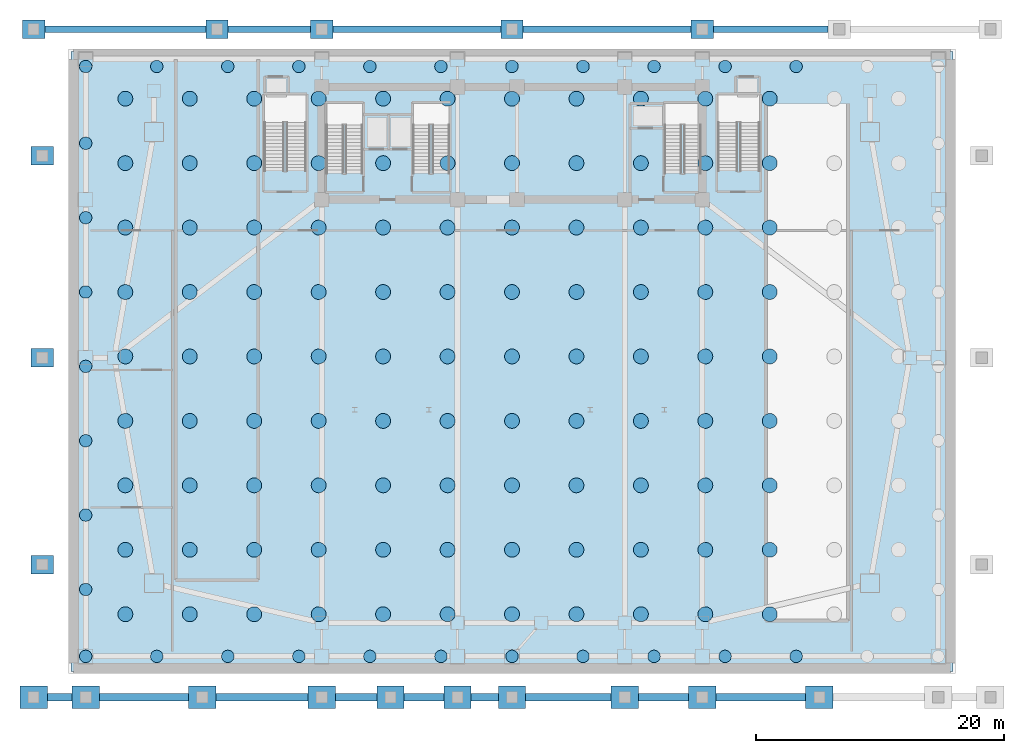
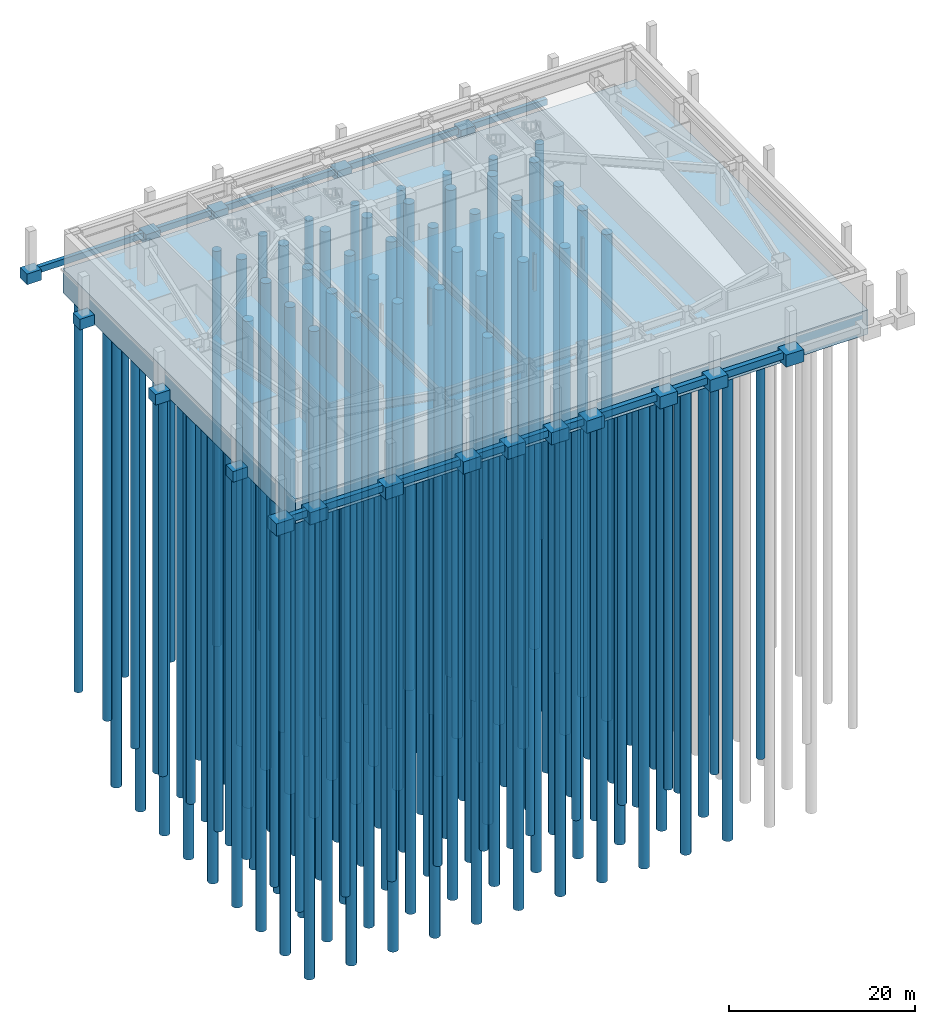
# One storey, part 1 of 10: 128 piles, 33 footings.
"""IFC4 building model written with IfcOpenShell, lengths in metres."""

from ifc_helpers import new_model, si_unit, direction, frame, origin, origin_2d, place, context, subcontext, project, spatial, rectangle, circle, extrude, source, transform, mapped, material, material_profile, profile_set, type_object, element, save


model = new_model("IFC4")

# Units and contexts
model_context = context("Model", 3, precision=1e-05, world=origin(), true_north=direction((0.0, 1.0)))
body_context = subcontext(model_context, "Body", "Model", "MODEL_VIEW")
ifc_project = project(units=[si_unit("LENGTHUNIT", "METRE"), si_unit("AREAUNIT", "SQUARE_METRE"), si_unit("VOLUMEUNIT", "CUBIC_METRE"), si_unit("PLANEANGLEUNIT", "RADIAN"), si_unit("MASSUNIT", "GRAM", prefix="KILO")], contexts=[model_context])

# Site, building, storey
site_placement = place(None, origin())
site = spatial("IfcSite", under=ifc_project, at=site_placement, CompositionType="ELEMENT")
building_placement = place(site_placement, origin())
building = spatial("IfcBuilding", under=site, at=building_placement, Name="Giltprow Tower", CompositionType="ELEMENT")
storey_placement = place(building_placement, frame((0.0, 0.0, -10.39990234375)))
storey = spatial("IfcBuildingStorey", under=building, at=storey_placement, Name="B02", CompositionType="ELEMENT", Elevation=-10.39990234375)

# Footing
ifc_material = material(Name="Concrete C45", Category="concrete")
footing_type_1 = type_object("IfcFootingType", Name="FND-RAFT-3200", PredefinedType="PAD_FOOTING", material=ifc_material)
shared_shape_1 = source(origin(), body_context, "Body", "SweptSolid", [
    extrude(rectangle(XDim=71.199951171875, YDim=50.0, at=origin_2d()), origin(), (0.0, 0.0, 1.0), 3.199951171875),
])
footing_1_placement = place(storey_placement, frame((35.199951171875, 24.39990234375, -3.2001953125), z_axis=(0.0, 0.0, 1.0), x_axis=(1.0, 0.0, 0.0)))
element("IfcFooting", 1, at=footing_1_placement, inside=storey, type_object=footing_type_1, Name="Tower and Podium Piled Raft 3200", PredefinedType="PAD_FOOTING", context=body_context, shape_type="MappedRepresentation", body=[
    mapped(shared_shape_1, transform((0.0, 0.0, 0.0), x_axis=(1.0, 0.0, 0.0), y_axis=(0.0, 1.0, 0.0), z_axis=(0.0, 0.0, 1.0), scale=1.0)),
])

# Piles
ifc_material_profile_1 = material_profile(ifc_material, circle(Radius=0.60009765625, at=origin_2d()), Name="PILE D1200")
ifc_profile_set_1 = profile_set([ifc_material_profile_1], Name="Concrete C45")
pile_type_1 = type_object("IfcPileType", Name="PILE-BORED-D1200", PredefinedType="BORED", material=ifc_profile_set_1)
shared_shape_2 = source(origin(), body_context, "Body", "SweptSolid", [
    extrude(circle(Radius=0.60009765625, at=origin_2d()), origin(), (0.0, 0.0, 1.0), 64.0),
])
for number, where, z_axis, x_axis, name in (
    (2, (4.0, 4.0, -3.10009765625), (0.0, 0.0, -1.0), (1.0, 0.0, 0.0), "Tower Bored Pile P12-001"),
    (3, (4.0, 9.199951171875, -3.10009765625), (0.0, 0.0, -1.0), (1.0, 0.0, 0.0), "Tower Bored Pile P12-002"),
    (4, (4.0, 14.39990234375, -3.10009765625), (0.0, 0.0, -1.0), (1.0, 0.0, 0.0), "Tower Bored Pile P12-003"),
    (5, (4.0, 19.60009765625, -3.10009765625), (0.0, 0.0, -1.0), (1.0, 0.0, 0.0), "Tower Bored Pile P12-004"),
    (6, (4.0, 24.800048828125, -3.10009765625), (0.0, 0.0, -1.0), (1.0, 0.0, 0.0), "Tower Bored Pile P12-005"),
    (7, (4.0, 30.0, -3.10009765625), (0.0, 0.0, -1.0), (1.0, 0.0, 0.0), "Tower Bored Pile P12-006"),
    (8, (4.0, 35.199951171875, -3.10009765625), (0.0, 0.0, -1.0), (1.0, 0.0, 0.0), "Tower Bored Pile P12-007"),
    (9, (4.0, 40.39990234375, -3.10009765625), (0.0, 0.0, -1.0), (1.0, 0.0, 0.0), "Tower Bored Pile P12-008"),
    (10, (4.0, 45.60009765625, -3.10009765625), (0.0, 0.0, -1.0), (1.0, 0.0, 0.0), "Tower Bored Pile P12-009"),
    (11, (9.199951171875, 4.0, -3.10009765625), (0.0, 0.0, -1.0), (1.0, 0.0, 0.0), "Tower Bored Pile P12-010"),
    (12, (9.199951171875, 9.199951171875, -3.10009765625), (0.0, 0.0, -1.0), (1.0, 0.0, 0.0), "Tower Bored Pile P12-011"),
    (13, (9.199951171875, 14.39990234375, -3.10009765625), (0.0, 0.0, -1.0), (1.0, 0.0, 0.0), "Tower Bored Pile P12-012"),
    (14, (9.199951171875, 19.60009765625, -3.10009765625), (0.0, 0.0, -1.0), (1.0, 0.0, 0.0), "Tower Bored Pile P12-013"),
    (15, (9.199951171875, 24.800048828125, -3.10009765625), (0.0, 0.0, -1.0), (1.0, 0.0, 0.0), "Tower Bored Pile P12-014"),
    (16, (9.199951171875, 30.0, -3.10009765625), (0.0, 0.0, -1.0), (1.0, 0.0, 0.0), "Tower Bored Pile P12-015"),
    (17, (9.199951171875, 35.199951171875, -3.10009765625), (0.0, 0.0, -1.0), (1.0, 0.0, 0.0), "Tower Bored Pile P12-016"),
    (18, (9.199951171875, 40.39990234375, -3.10009765625), (0.0, 0.0, -1.0), (1.0, 0.0, 0.0), "Tower Bored Pile P12-017"),
    (19, (9.199951171875, 45.60009765625, -3.10009765625), (0.0, 0.0, -1.0), (1.0, 0.0, 0.0), "Tower Bored Pile P12-018"),
    (20, (14.39990234375, 4.0, -3.10009765625), (0.0, 0.0, -1.0), (1.0, 0.0, 0.0), "Tower Bored Pile P12-019"),
    (21, (14.39990234375, 9.199951171875, -3.10009765625), (0.0, 0.0, -1.0), (1.0, 0.0, 0.0), "Tower Bored Pile P12-020"),
    (22, (14.39990234375, 14.39990234375, -3.10009765625), (0.0, 0.0, -1.0), (1.0, 0.0, 0.0), "Tower Bored Pile P12-021"),
    (23, (14.39990234375, 19.60009765625, -3.10009765625), (0.0, 0.0, -1.0), (1.0, 0.0, 0.0), "Tower Bored Pile P12-022"),
    (24, (14.39990234375, 24.800048828125, -3.10009765625), (0.0, 0.0, -1.0), (1.0, 0.0, 0.0), "Tower Bored Pile P12-023"),
    (25, (14.39990234375, 30.0, -3.10009765625), (0.0, 0.0, -1.0), (1.0, 0.0, 0.0), "Tower Bored Pile P12-024"),
    (26, (14.39990234375, 35.199951171875, -3.10009765625), (0.0, 0.0, -1.0), (1.0, 0.0, 0.0), "Tower Bored Pile P12-025"),
    (27, (14.39990234375, 40.39990234375, -3.10009765625), (0.0, 0.0, -1.0), (1.0, 0.0, 0.0), "Tower Bored Pile P12-026"),
    (28, (14.39990234375, 45.60009765625, -3.10009765625), (0.0, 0.0, -1.0), (1.0, 0.0, 0.0), "Tower Bored Pile P12-027"),
    (29, (19.60009765625, 4.0, -3.10009765625), (0.0, 0.0, -1.0), (1.0, 0.0, 0.0), "Tower Bored Pile P12-028"),
    (30, (19.60009765625, 9.199951171875, -3.10009765625), (0.0, 0.0, -1.0), (1.0, 0.0, 0.0), "Tower Bored Pile P12-029"),
    (31, (19.60009765625, 14.39990234375, -3.10009765625), (0.0, 0.0, -1.0), (1.0, 0.0, 0.0), "Tower Bored Pile P12-030"),
    (32, (19.60009765625, 19.60009765625, -3.10009765625), (0.0, 0.0, -1.0), (1.0, 0.0, 0.0), "Tower Bored Pile P12-031"),
    (33, (19.60009765625, 24.800048828125, -3.10009765625), (0.0, 0.0, -1.0), (1.0, 0.0, 0.0), "Tower Bored Pile P12-032"),
    (34, (19.60009765625, 30.0, -3.10009765625), (0.0, 0.0, -1.0), (1.0, 0.0, 0.0), "Tower Bored Pile P12-033"),
    (35, (19.60009765625, 35.199951171875, -3.10009765625), (0.0, 0.0, -1.0), (1.0, 0.0, 0.0), "Tower Bored Pile P12-034"),
    (36, (19.60009765625, 40.39990234375, -3.10009765625), (0.0, 0.0, -1.0), (1.0, 0.0, 0.0), "Tower Bored Pile P12-035"),
    (37, (19.60009765625, 45.60009765625, -3.10009765625), (0.0, 0.0, -1.0), (1.0, 0.0, 0.0), "Tower Bored Pile P12-036"),
    (38, (24.800048828125, 4.0, -3.10009765625), (0.0, 0.0, -1.0), (1.0, 0.0, 0.0), "Tower Bored Pile P12-037"),
    (39, (24.800048828125, 9.199951171875, -3.10009765625), (0.0, 0.0, -1.0), (1.0, 0.0, 0.0), "Tower Bored Pile P12-038"),
    (40, (24.800048828125, 14.39990234375, -3.10009765625), (0.0, 0.0, -1.0), (1.0, 0.0, 0.0), "Tower Bored Pile P12-039"),
    (41, (24.800048828125, 19.60009765625, -3.10009765625), (0.0, 0.0, -1.0), (1.0, 0.0, 0.0), "Tower Bored Pile P12-040"),
    (42, (24.800048828125, 24.800048828125, -3.10009765625), (0.0, 0.0, -1.0), (1.0, 0.0, 0.0), "Tower Bored Pile P12-041"),
    (43, (24.800048828125, 30.0, -3.10009765625), (0.0, 0.0, -1.0), (1.0, 0.0, 0.0), "Tower Bored Pile P12-042"),
    (44, (24.800048828125, 35.199951171875, -3.10009765625), (0.0, 0.0, -1.0), (1.0, 0.0, 0.0), "Tower Bored Pile P12-043"),
    (45, (24.800048828125, 40.39990234375, -3.10009765625), (0.0, 0.0, -1.0), (1.0, 0.0, 0.0), "Tower Bored Pile P12-044"),
    (46, (24.800048828125, 45.60009765625, -3.10009765625), (0.0, 0.0, -1.0), (1.0, 0.0, 0.0), "Tower Bored Pile P12-045"),
    (47, (30.0, 4.0, -3.10009765625), (0.0, 0.0, -1.0), (1.0, 0.0, 0.0), "Tower Bored Pile P12-046"),
    (48, (30.0, 9.199951171875, -3.10009765625), (0.0, 0.0, -1.0), (1.0, 0.0, 0.0), "Tower Bored Pile P12-047"),
    (49, (30.0, 14.39990234375, -3.10009765625), (0.0, 0.0, -1.0), (1.0, 0.0, 0.0), "Tower Bored Pile P12-048"),
    (50, (30.0, 19.60009765625, -3.10009765625), (0.0, 0.0, -1.0), (1.0, 0.0, 0.0), "Tower Bored Pile P12-049"),
    (51, (30.0, 24.800048828125, -3.10009765625), (0.0, 0.0, -1.0), (1.0, 0.0, 0.0), "Tower Bored Pile P12-050"),
    (52, (30.0, 30.0, -3.10009765625), (0.0, 0.0, -1.0), (1.0, 0.0, 0.0), "Tower Bored Pile P12-051"),
    (53, (30.0, 35.199951171875, -3.10009765625), (0.0, 0.0, -1.0), (1.0, 0.0, 0.0), "Tower Bored Pile P12-052"),
    (54, (30.0, 40.39990234375, -3.10009765625), (0.0, 0.0, -1.0), (1.0, 0.0, 0.0), "Tower Bored Pile P12-053"),
    (55, (30.0, 45.60009765625, -3.10009765625), (0.0, 0.0, -1.0), (1.0, 0.0, 0.0), "Tower Bored Pile P12-054"),
    (56, (35.199951171875, 4.0, -3.10009765625), (0.0, 0.0, -1.0), (1.0, 0.0, 0.0), "Tower Bored Pile P12-055"),
    (57, (35.199951171875, 9.199951171875, -3.10009765625), (0.0, 0.0, -1.0), (1.0, 0.0, 0.0), "Tower Bored Pile P12-056"),
    (58, (35.199951171875, 14.39990234375, -3.10009765625), (0.0, 0.0, -1.0), (1.0, 0.0, 0.0), "Tower Bored Pile P12-057"),
    (59, (35.199951171875, 19.60009765625, -3.10009765625), (0.0, 0.0, -1.0), (1.0, 0.0, 0.0), "Tower Bored Pile P12-058"),
    (60, (35.199951171875, 24.800048828125, -3.10009765625), (0.0, 0.0, -1.0), (1.0, 0.0, 0.0), "Tower Bored Pile P12-059"),
    (61, (35.199951171875, 30.0, -3.10009765625), (0.0, 0.0, -1.0), (1.0, 0.0, 0.0), "Tower Bored Pile P12-060"),
    (62, (35.199951171875, 35.199951171875, -3.10009765625), (0.0, 0.0, -1.0), (1.0, 0.0, 0.0), "Tower Bored Pile P12-061"),
    (63, (35.199951171875, 40.39990234375, -3.10009765625), (0.0, 0.0, -1.0), (1.0, 0.0, 0.0), "Tower Bored Pile P12-062"),
    (64, (35.199951171875, 45.60009765625, -3.10009765625), (0.0, 0.0, -1.0), (1.0, 0.0, 0.0), "Tower Bored Pile P12-063"),
    (65, (40.39990234375, 4.0, -3.10009765625), (0.0, 0.0, -1.0), (1.0, 0.0, 0.0), "Tower Bored Pile P12-064"),
    (66, (40.39990234375, 9.199951171875, -3.10009765625), (0.0, 0.0, -1.0), (1.0, 0.0, 0.0), "Tower Bored Pile P12-065"),
    (67, (40.39990234375, 14.39990234375, -3.10009765625), (0.0, 0.0, -1.0), (1.0, 0.0, 0.0), "Tower Bored Pile P12-066"),
    (68, (40.39990234375, 19.60009765625, -3.10009765625), (0.0, 0.0, -1.0), (1.0, 0.0, 0.0), "Tower Bored Pile P12-067"),
    (69, (40.39990234375, 24.800048828125, -3.10009765625), (0.0, 0.0, -1.0), (1.0, 0.0, 0.0), "Tower Bored Pile P12-068"),
    (70, (40.39990234375, 30.0, -3.10009765625), (0.0, 0.0, -1.0), (1.0, 0.0, 0.0), "Tower Bored Pile P12-069"),
    (71, (40.39990234375, 35.199951171875, -3.10009765625), (0.0, 0.0, -1.0), (1.0, 0.0, 0.0), "Tower Bored Pile P12-070"),
    (72, (40.39990234375, 40.39990234375, -3.10009765625), (0.0, 0.0, -1.0), (1.0, 0.0, 0.0), "Tower Bored Pile P12-071"),
    (73, (40.39990234375, 45.60009765625, -3.10009765625), (0.0, 0.0, -1.0), (1.0, 0.0, 0.0), "Tower Bored Pile P12-072"),
    (74, (45.60009765625, 4.0, -3.10009765625), (0.0, 0.0, -1.0), (1.0, 0.0, 0.0), "Tower Bored Pile P12-073"),
    (75, (45.60009765625, 9.199951171875, -3.10009765625), (0.0, 0.0, -1.0), (1.0, 0.0, 0.0), "Tower Bored Pile P12-074"),
    (76, (45.60009765625, 14.39990234375, -3.10009765625), (0.0, 0.0, -1.0), (1.0, 0.0, 0.0), "Tower Bored Pile P12-075"),
    (77, (45.60009765625, 19.60009765625, -3.10009765625), (0.0, 0.0, -1.0), (1.0, 0.0, 0.0), "Tower Bored Pile P12-076"),
    (78, (45.60009765625, 24.800048828125, -3.10009765625), (0.0, 0.0, -1.0), (1.0, 0.0, 0.0), "Tower Bored Pile P12-077"),
    (79, (45.60009765625, 30.0, -3.10009765625), (0.0, 0.0, -1.0), (1.0, 0.0, 0.0), "Tower Bored Pile P12-078"),
    (80, (45.60009765625, 35.199951171875, -3.10009765625), (0.0, 0.0, -1.0), (1.0, 0.0, 0.0), "Tower Bored Pile P12-079"),
    (81, (45.60009765625, 40.39990234375, -3.10009765625), (0.0, 0.0, -1.0), (1.0, 0.0, 0.0), "Tower Bored Pile P12-080"),
    (82, (45.60009765625, 45.60009765625, -3.10009765625), (0.0, 0.0, -1.0), (1.0, 0.0, 0.0), "Tower Bored Pile P12-081"),
    (83, (50.800048828125, 4.0, -3.10009765625), (0.0, 0.0, -1.0), (1.0, 0.0, 0.0), "Tower Bored Pile P12-082"),
    (84, (50.800048828125, 9.199951171875, -3.10009765625), (0.0, 0.0, -1.0), (1.0, 0.0, 0.0), "Tower Bored Pile P12-083"),
    (85, (50.800048828125, 14.39990234375, -3.10009765625), (0.0, 0.0, -1.0), (1.0, 0.0, 0.0), "Tower Bored Pile P12-084"),
    (86, (50.800048828125, 19.60009765625, -3.10009765625), (0.0, 0.0, -1.0), (1.0, 0.0, 0.0), "Tower Bored Pile P12-085"),
    (87, (50.800048828125, 24.800048828125, -3.10009765625), (0.0, 0.0, -1.0), (1.0, 0.0, 0.0), "Tower Bored Pile P12-086"),
    (88, (50.800048828125, 30.0, -3.10009765625), (0.0, 0.0, -1.0), (1.0, 0.0, 0.0), "Tower Bored Pile P12-087"),
    (89, (50.800048828125, 35.199951171875, -3.10009765625), (0.0, 0.0, -1.0), (1.0, 0.0, 0.0), "Tower Bored Pile P12-088"),
    (90, (50.800048828125, 40.39990234375, -3.10009765625), (0.0, 0.0, -1.0), (1.0, 0.0, 0.0), "Tower Bored Pile P12-089"),
    (91, (50.800048828125, 45.60009765625, -3.10009765625), (0.0, 0.0, -1.0), (1.0, 0.0, 0.0), "Tower Bored Pile P12-090"),
    (92, (56.0, 4.0, -3.10009765625), (0.0, 0.0, -1.0), (1.0, 0.0, 0.0), "Tower Bored Pile P12-091"),
    (93, (56.0, 9.199951171875, -3.10009765625), (0.0, 0.0, -1.0), (1.0, 0.0, 0.0), "Tower Bored Pile P12-092"),
    (94, (56.0, 14.39990234375, -3.10009765625), (0.0, 0.0, -1.0), (1.0, 0.0, 0.0), "Tower Bored Pile P12-093"),
    (95, (56.0, 19.60009765625, -3.10009765625), (0.0, 0.0, -1.0), (1.0, 0.0, 0.0), "Tower Bored Pile P12-094"),
    (96, (56.0, 24.800048828125, -3.10009765625), (0.0, 0.0, -1.0), (1.0, 0.0, 0.0), "Tower Bored Pile P12-095"),
    (97, (56.0, 30.0, -3.10009765625), (0.0, 0.0, -1.0), (1.0, 0.0, 0.0), "Tower Bored Pile P12-096"),
    (98, (56.0, 35.199951171875, -3.10009765625), (0.0, 0.0, -1.0), (1.0, 0.0, 0.0), "Tower Bored Pile P12-097"),
    (99, (56.0, 40.39990234375, -3.10009765625), (0.0, 0.0, -1.0), (1.0, 0.0, 0.0), "Tower Bored Pile P12-098"),
    (100, (56.0, 45.60009765625, -3.10009765625), (0.0, 0.0, -1.0), (1.0, 0.0, 0.0), "Tower Bored Pile P12-099"),
):
    element("IfcPile", number, at=place(storey_placement, frame(where, z_axis=z_axis, x_axis=x_axis)), inside=storey, type_object=pile_type_1, Name=name, PredefinedType="BORED", context=body_context, shape_type="MappedRepresentation", body=[
        mapped(shared_shape_2, transform((0.0, 0.0, 0.0), x_axis=(1.0, 0.0, 0.0), y_axis=(0.0, 1.0, 0.0), z_axis=(0.0, 0.0, 1.0), scale=1.0)),
    ])
ifc_material_profile_2 = material_profile(ifc_material, circle(Radius=0.5, at=origin_2d()), Name="PILE D1000")
ifc_profile_set_2 = profile_set([ifc_material_profile_2], Name="Concrete C45")
pile_type_2 = type_object("IfcPileType", Name="PILE-BORED-D1000", PredefinedType="BORED", material=ifc_profile_set_2)
shared_shape_3 = source(origin(), body_context, "Body", "SweptSolid", [
    extrude(circle(Radius=0.5, at=origin_2d()), origin(), (0.0, 0.0, 1.0), 52.0),
])
for number, where, z_axis, x_axis, name in (
    (101, (0.800048828125, 0.60009765625, -3.10009765625), (0.0, 0.0, -1.0), (1.0, 0.0, 0.0), "Podium Bored Pile P10-001"),
    (102, (0.800048828125, 48.199951171875, -3.10009765625), (0.0, 0.0, -1.0), (1.0, 0.0, 0.0), "Podium Bored Pile P10-002"),
    (103, (6.532958984375, 0.60009765625, -3.10009765625), (0.0, 0.0, -1.0), (1.0, 0.0, 0.0), "Podium Bored Pile P10-003"),
    (104, (6.532958984375, 48.199951171875, -3.10009765625), (0.0, 0.0, -1.0), (1.0, 0.0, 0.0), "Podium Bored Pile P10-004"),
    (105, (12.26611328125, 0.60009765625, -3.10009765625), (0.0, 0.0, -1.0), (1.0, 0.0, 0.0), "Podium Bored Pile P10-005"),
    (106, (12.26611328125, 48.199951171875, -3.10009765625), (0.0, 0.0, -1.0), (1.0, 0.0, 0.0), "Podium Bored Pile P10-006"),
    (107, (17.9990234375, 0.60009765625, -3.10009765625), (0.0, 0.0, -1.0), (1.0, 0.0, 0.0), "Podium Bored Pile P10-007"),
    (108, (17.9990234375, 48.199951171875, -3.10009765625), (0.0, 0.0, -1.0), (1.0, 0.0, 0.0), "Podium Bored Pile P10-008"),
    (109, (23.73193359375, 0.60009765625, -3.10009765625), (0.0, 0.0, -1.0), (1.0, 0.0, 0.0), "Podium Bored Pile P10-009"),
    (110, (23.73193359375, 48.199951171875, -3.10009765625), (0.0, 0.0, -1.0), (1.0, 0.0, 0.0), "Podium Bored Pile P10-010"),
    (111, (29.465087890625, 0.60009765625, -3.10009765625), (0.0, 0.0, -1.0), (1.0, 0.0, 0.0), "Podium Bored Pile P10-011"),
    (112, (29.465087890625, 48.199951171875, -3.10009765625), (0.0, 0.0, -1.0), (1.0, 0.0, 0.0), "Podium Bored Pile P10-012"),
    (113, (35.197998046875, 0.60009765625, -3.10009765625), (0.0, 0.0, -1.0), (1.0, 0.0, 0.0), "Podium Bored Pile P10-013"),
    (114, (35.197998046875, 48.199951171875, -3.10009765625), (0.0, 0.0, -1.0), (1.0, 0.0, 0.0), "Podium Bored Pile P10-014"),
    (115, (40.930908203125, 0.60009765625, -3.10009765625), (0.0, 0.0, -1.0), (1.0, 0.0, 0.0), "Podium Bored Pile P10-015"),
    (116, (40.930908203125, 48.199951171875, -3.10009765625), (0.0, 0.0, -1.0), (1.0, 0.0, 0.0), "Podium Bored Pile P10-016"),
    (117, (46.6640625, 0.60009765625, -3.10009765625), (0.0, 0.0, -1.0), (1.0, 0.0, 0.0), "Podium Bored Pile P10-017"),
    (118, (46.6640625, 48.199951171875, -3.10009765625), (0.0, 0.0, -1.0), (1.0, 0.0, 0.0), "Podium Bored Pile P10-018"),
    (119, (52.39697265625, 0.60009765625, -3.10009765625), (0.0, 0.0, -1.0), (1.0, 0.0, 0.0), "Podium Bored Pile P10-019"),
    (120, (52.39697265625, 48.199951171875, -3.10009765625), (0.0, 0.0, -1.0), (1.0, 0.0, 0.0), "Podium Bored Pile P10-020"),
    (121, (58.1298828125, 0.60009765625, -3.10009765625), (0.0, 0.0, -1.0), (1.0, 0.0, 0.0), "Podium Bored Pile P10-021"),
    (122, (58.1298828125, 48.199951171875, -3.10009765625), (0.0, 0.0, -1.0), (1.0, 0.0, 0.0), "Podium Bored Pile P10-022"),
    (123, (0.800048828125, 6.0, -3.10009765625), (0.0, 0.0, -1.0), (1.0, 0.0, 0.0), "Podium Bored Pile P10-027"),
    (124, (0.800048828125, 12.0, -3.10009765625), (0.0, 0.0, -1.0), (1.0, 0.0, 0.0), "Podium Bored Pile P10-029"),
    (125, (0.800048828125, 18.0, -3.10009765625), (0.0, 0.0, -1.0), (1.0, 0.0, 0.0), "Podium Bored Pile P10-031"),
    (126, (0.800048828125, 24.0, -3.10009765625), (0.0, 0.0, -1.0), (1.0, 0.0, 0.0), "Podium Bored Pile P10-033"),
    (127, (0.800048828125, 30.0, -3.10009765625), (0.0, 0.0, -1.0), (1.0, 0.0, 0.0), "Podium Bored Pile P10-035"),
    (128, (0.800048828125, 36.0, -3.10009765625), (0.0, 0.0, -1.0), (1.0, 0.0, 0.0), "Podium Bored Pile P10-037"),
    (129, (0.800048828125, 42.0, -3.10009765625), (0.0, 0.0, -1.0), (1.0, 0.0, 0.0), "Podium Bored Pile P10-039"),
):
    element("IfcPile", number, at=place(storey_placement, frame(where, z_axis=z_axis, x_axis=x_axis)), inside=storey, type_object=pile_type_2, Name=name, PredefinedType="BORED", context=body_context, shape_type="MappedRepresentation", body=[
        mapped(shared_shape_3, transform((0.0, 0.0, 0.0), x_axis=(1.0, 0.0, 0.0), y_axis=(0.0, 1.0, 0.0), z_axis=(0.0, 0.0, 1.0), scale=1.0)),
    ])

# Footings
footing_type_2 = type_object("IfcFootingType", Name="FND-PAD-2200", PredefinedType="PAD_FOOTING", material=ifc_material)
shared_shape_4 = source(origin(), body_context, "Body", "SweptSolid", [
    extrude(rectangle(XDim=2.199951171875, YDim=1.800048828125, at=origin_2d()), origin(), (0.0, 0.0, 1.0), 1.60009765625),
])
for number, where, z_axis, x_axis, name in (
    (130, (-3.39990234375, -2.699951171875, -1.60009765625), (0.0, 0.0, 1.0), (1.0, 0.0, 0.0), "Promenade Pad Footing PF-01"),
    (131, (0.800048828125, -2.699951171875, -1.60009765625), (0.0, 0.0, 1.0), (1.0, 0.0, 0.0), "Promenade Pad Footing PF-02"),
    (132, (10.199951171875, -2.699951171875, -1.60009765625), (0.0, 0.0, 1.0), (1.0, 0.0, 0.0), "Promenade Pad Footing PF-03"),
    (133, (19.85009765625, -2.699951171875, -1.60009765625), (0.0, 0.0, 1.0), (1.0, 0.0, 0.0), "Promenade Pad Footing PF-04"),
    (134, (25.39990234375, -2.699951171875, -1.60009765625), (0.0, 0.0, 1.0), (1.0, 0.0, 0.0), "Promenade Pad Footing PF-05"),
    (135, (30.800048828125, -2.699951171875, -1.60009765625), (0.0, 0.0, 1.0), (1.0, 0.0, 0.0), "Promenade Pad Footing PF-06"),
    (136, (35.199951171875, -2.699951171875, -1.60009765625), (0.0, 0.0, 1.0), (1.0, 0.0, 0.0), "Promenade Pad Footing PF-07"),
    (137, (44.300048828125, -2.699951171875, -1.60009765625), (0.0, 0.0, 1.0), (1.0, 0.0, 0.0), "Promenade Pad Footing PF-08"),
    (138, (50.550048828125, -2.699951171875, -1.60009765625), (0.0, 0.0, 1.0), (1.0, 0.0, 0.0), "Promenade Pad Footing PF-09"),
    (139, (60.0, -2.699951171875, -1.60009765625), (0.0, 0.0, 1.0), (1.0, 0.0, 0.0), "Promenade Pad Footing PF-10"),
):
    element("IfcFooting", number, at=place(storey_placement, frame(where, z_axis=z_axis, x_axis=x_axis)), inside=storey, type_object=footing_type_2, Name=name, PredefinedType="PAD_FOOTING", context=body_context, shape_type="MappedRepresentation", body=[
        mapped(shared_shape_4, transform((0.0, 0.0, 0.0), x_axis=(1.0, 0.0, 0.0), y_axis=(0.0, 1.0, 0.0), z_axis=(0.0, 0.0, 1.0), scale=1.0)),
    ])
ifc_material_profile_3 = material_profile(ifc_material, rectangle(XDim=0.60009765625, YDim=0.89990234375, at=origin_2d()), Name="RC 900x600")
ifc_profile_set_3 = profile_set([ifc_material_profile_3], Name="Concrete C45")
footing_type_3 = type_object("IfcFootingType", Name="FND-TIE-900x600", PredefinedType="FOOTING_BEAM", material=ifc_profile_set_3)
shared_shape_5 = source(origin(), body_context, "Body", "SweptSolid", [
    extrude(rectangle(XDim=0.60009765625, YDim=0.89990234375, at=origin_2d()), origin(), (0.0, 0.0, 1.0), 2.0),
])
footing_2_placement = place(storey_placement, frame((-2.300048828125, -2.699951171875, -0.4501953125), z_axis=(1.0, 0.0, 0.0), x_axis=(0.0, 1.0, 0.0)))
element("IfcFooting", 140, at=footing_2_placement, inside=storey, type_object=footing_type_3, Name="Promenade Ground Tie Beam GB-01", PredefinedType="FOOTING_BEAM", context=body_context, shape_type="MappedRepresentation", body=[
    mapped(shared_shape_5, transform((0.0, 0.0, 0.0), x_axis=(1.0, 0.0, 0.0), y_axis=(0.0, 1.0, 0.0), z_axis=(0.0, 0.0, 1.0), scale=1.0)),
])
shared_shape_6 = source(origin(), body_context, "Body", "SweptSolid", [
    extrude(rectangle(XDim=0.60009765625, YDim=0.89990234375, at=origin_2d()), origin(), (0.0, 0.0, 1.0), 7.2001953125),
])
footing_3_placement = place(storey_placement, frame((1.89990234375, -2.699951171875, -0.4501953125), z_axis=(1.0, 0.0, 0.0), x_axis=(0.0, 1.0, 0.0)))
element("IfcFooting", 141, at=footing_3_placement, inside=storey, type_object=footing_type_3, Name="Promenade Ground Tie Beam GB-02", PredefinedType="FOOTING_BEAM", context=body_context, shape_type="MappedRepresentation", body=[
    mapped(shared_shape_6, transform((0.0, 0.0, 0.0), x_axis=(1.0, 0.0, 0.0), y_axis=(0.0, 1.0, 0.0), z_axis=(0.0, 0.0, 1.0), scale=1.0)),
])
shared_shape_7 = source(origin(), body_context, "Body", "SweptSolid", [
    extrude(rectangle(XDim=0.60009765625, YDim=0.89990234375, at=origin_2d()), origin(), (0.0, 0.0, 1.0), 7.449951171875),
])
footing_4_placement = place(storey_placement, frame((11.300048828125, -2.699951171875, -0.4501953125), z_axis=(1.0, 0.0, 0.0), x_axis=(0.0, 1.0, 0.0)))
element("IfcFooting", 142, at=footing_4_placement, inside=storey, type_object=footing_type_3, Name="Promenade Ground Tie Beam GB-03", PredefinedType="FOOTING_BEAM", context=body_context, shape_type="MappedRepresentation", body=[
    mapped(shared_shape_7, transform((0.0, 0.0, 0.0), x_axis=(1.0, 0.0, 0.0), y_axis=(0.0, 1.0, 0.0), z_axis=(0.0, 0.0, 1.0), scale=1.0)),
])
shared_shape_8 = source(origin(), body_context, "Body", "SweptSolid", [
    extrude(rectangle(XDim=0.60009765625, YDim=0.89990234375, at=origin_2d()), origin(), (0.0, 0.0, 1.0), 3.35009765625),
])
footing_5_placement = place(storey_placement, frame((20.949951171875, -2.699951171875, -0.4501953125), z_axis=(1.0, 0.0, 0.0), x_axis=(0.0, 1.0, 0.0)))
element("IfcFooting", 143, at=footing_5_placement, inside=storey, type_object=footing_type_3, Name="Promenade Ground Tie Beam GB-04", PredefinedType="FOOTING_BEAM", context=body_context, shape_type="MappedRepresentation", body=[
    mapped(shared_shape_8, transform((0.0, 0.0, 0.0), x_axis=(1.0, 0.0, 0.0), y_axis=(0.0, 1.0, 0.0), z_axis=(0.0, 0.0, 1.0), scale=1.0)),
])
shared_shape_9 = source(origin(), body_context, "Body", "SweptSolid", [
    extrude(rectangle(XDim=0.60009765625, YDim=0.89990234375, at=origin_2d()), origin(), (0.0, 0.0, 1.0), 3.199951171875),
])
footing_6_placement = place(storey_placement, frame((26.5, -2.699951171875, -0.4501953125), z_axis=(1.0, 0.0, 0.0), x_axis=(0.0, 1.0, 0.0)))
element("IfcFooting", 144, at=footing_6_placement, inside=storey, type_object=footing_type_3, Name="Promenade Ground Tie Beam GB-05", PredefinedType="FOOTING_BEAM", context=body_context, shape_type="MappedRepresentation", body=[
    mapped(shared_shape_9, transform((0.0, 0.0, 0.0), x_axis=(1.0, 0.0, 0.0), y_axis=(0.0, 1.0, 0.0), z_axis=(0.0, 0.0, 1.0), scale=1.0)),
])
shared_shape_10 = source(origin(), body_context, "Body", "SweptSolid", [
    extrude(rectangle(XDim=0.60009765625, YDim=0.89990234375, at=origin_2d()), origin(), (0.0, 0.0, 1.0), 2.2001953125),
])
footing_7_placement = place(storey_placement, frame((31.89990234375, -2.699951171875, -0.4501953125), z_axis=(1.0, 0.0, 0.0), x_axis=(0.0, 1.0, 0.0)))
element("IfcFooting", 145, at=footing_7_placement, inside=storey, type_object=footing_type_3, Name="Promenade Ground Tie Beam GB-06", PredefinedType="FOOTING_BEAM", context=body_context, shape_type="MappedRepresentation", body=[
    mapped(shared_shape_10, transform((0.0, 0.0, 0.0), x_axis=(1.0, 0.0, 0.0), y_axis=(0.0, 1.0, 0.0), z_axis=(0.0, 0.0, 1.0), scale=1.0)),
])
shared_shape_11 = source(origin(), body_context, "Body", "SweptSolid", [
    extrude(rectangle(XDim=0.60009765625, YDim=0.89990234375, at=origin_2d()), origin(), (0.0, 0.0, 1.0), 6.89990234375),
])
footing_8_placement = place(storey_placement, frame((36.300048828125, -2.699951171875, -0.4501953125), z_axis=(1.0, 0.0, 0.0), x_axis=(0.0, 1.0, 0.0)))
element("IfcFooting", 146, at=footing_8_placement, inside=storey, type_object=footing_type_3, Name="Promenade Ground Tie Beam GB-07", PredefinedType="FOOTING_BEAM", context=body_context, shape_type="MappedRepresentation", body=[
    mapped(shared_shape_11, transform((0.0, 0.0, 0.0), x_axis=(1.0, 0.0, 0.0), y_axis=(0.0, 1.0, 0.0), z_axis=(0.0, 0.0, 1.0), scale=1.0)),
])
shared_shape_12 = source(origin(), body_context, "Body", "SweptSolid", [
    extrude(rectangle(XDim=0.60009765625, YDim=0.89990234375, at=origin_2d()), origin(), (0.0, 0.0, 1.0), 4.050048828125),
])
footing_9_placement = place(storey_placement, frame((45.39990234375, -2.699951171875, -0.4501953125), z_axis=(1.0, 0.0, 0.0), x_axis=(0.0, 1.0, 0.0)))
element("IfcFooting", 147, at=footing_9_placement, inside=storey, type_object=footing_type_3, Name="Promenade Ground Tie Beam GB-08", PredefinedType="FOOTING_BEAM", context=body_context, shape_type="MappedRepresentation", body=[
    mapped(shared_shape_12, transform((0.0, 0.0, 0.0), x_axis=(1.0, 0.0, 0.0), y_axis=(0.0, 1.0, 0.0), z_axis=(0.0, 0.0, 1.0), scale=1.0)),
])
shared_shape_13 = source(origin(), body_context, "Body", "SweptSolid", [
    extrude(rectangle(XDim=0.60009765625, YDim=0.89990234375, at=origin_2d()), origin(), (0.0, 0.0, 1.0), 7.25),
])
footing_10_placement = place(storey_placement, frame((51.64990234375, -2.699951171875, -0.4501953125), z_axis=(1.0, 0.0, 0.0), x_axis=(0.0, 1.0, 0.0)))
element("IfcFooting", 148, at=footing_10_placement, inside=storey, type_object=footing_type_3, Name="Promenade Ground Tie Beam GB-09", PredefinedType="FOOTING_BEAM", context=body_context, shape_type="MappedRepresentation", body=[
    mapped(shared_shape_13, transform((0.0, 0.0, 0.0), x_axis=(1.0, 0.0, 0.0), y_axis=(0.0, 1.0, 0.0), z_axis=(0.0, 0.0, 1.0), scale=1.0)),
])
footing_type_4 = type_object("IfcFootingType", Name="FND-PAD-1800", PredefinedType="PAD_FOOTING", material=ifc_material)
shared_shape_14 = source(origin(), body_context, "Body", "SweptSolid", [
    extrude(rectangle(XDim=1.800048828125, YDim=1.5, at=origin_2d()), origin(), (0.0, 0.0, 1.0), 1.39990234375),
])
for number, where, z_axis, x_axis, name in (
    (149, (-2.699951171875, 8.0, -1.400146484375), (0.0, 0.0, 1.0), (1.0, 0.0, 0.0), "W Sidewalk Pad Footing PF-W1"),
    (150, (-2.699951171875, 24.699951171875, -1.400146484375), (0.0, 0.0, 1.0), (1.0, 0.0, 0.0), "W Sidewalk Pad Footing PF-W2"),
    (151, (-2.699951171875, 41.0, -1.400146484375), (0.0, 0.0, 1.0), (1.0, 0.0, 0.0), "W Sidewalk Pad Footing PF-W3"),
    (152, (-3.39990234375, 51.199951171875, -1.400146484375), (0.0, 0.0, 1.0), (1.0, 0.0, 0.0), "North Apron Pad Footing PF-N01"),
    (153, (11.39990234375, 51.199951171875, -1.400146484375), (0.0, 0.0, 1.0), (1.0, 0.0, 0.0), "North Apron Pad Footing PF-N02"),
    (154, (19.85009765625, 51.199951171875, -1.400146484375), (0.0, 0.0, 1.0), (1.0, 0.0, 0.0), "North Apron Pad Footing PF-N03"),
    (155, (35.199951171875, 51.199951171875, -1.400146484375), (0.0, 0.0, 1.0), (1.0, 0.0, 0.0), "North Apron Pad Footing PF-N04"),
    (156, (50.550048828125, 51.199951171875, -1.400146484375), (0.0, 0.0, 1.0), (1.0, 0.0, 0.0), "North Apron Pad Footing PF-N05"),
):
    element("IfcFooting", number, at=place(storey_placement, frame(where, z_axis=z_axis, x_axis=x_axis)), inside=storey, type_object=footing_type_4, Name=name, PredefinedType="PAD_FOOTING", context=body_context, shape_type="MappedRepresentation", body=[
        mapped(shared_shape_14, transform((0.0, 0.0, 0.0), x_axis=(1.0, 0.0, 0.0), y_axis=(0.0, 1.0, 0.0), z_axis=(0.0, 0.0, 1.0), scale=1.0)),
    ])
ifc_material_profile_4 = material_profile(ifc_material, rectangle(XDim=0.5, YDim=0.800048828125, at=origin_2d()), Name="RC 800x500")
ifc_profile_set_4 = profile_set([ifc_material_profile_4], Name="Concrete C45")
footing_type_5 = type_object("IfcFootingType", Name="FND-STRIP-800x500", PredefinedType="STRIP_FOOTING", material=ifc_profile_set_4)
shared_shape_15 = source(origin(), body_context, "Body", "SweptSolid", [
    extrude(rectangle(XDim=0.5, YDim=0.800048828125, at=origin_2d()), origin(), (0.0, 0.0, 1.0), 13.0),
])
footing_11_placement = place(storey_placement, frame((-2.5, 51.199951171875, -0.400146484375), z_axis=(1.0, 0.0, 0.0), x_axis=(0.0, 1.0, 0.0)))
element("IfcFooting", 157, at=footing_11_placement, inside=storey, type_object=footing_type_5, Name="North Apron Strip Footing SF-01", PredefinedType="STRIP_FOOTING", context=body_context, shape_type="MappedRepresentation", body=[
    mapped(shared_shape_15, transform((0.0, 0.0, 0.0), x_axis=(1.0, 0.0, 0.0), y_axis=(0.0, 1.0, 0.0), z_axis=(0.0, 0.0, 1.0), scale=1.0)),
])
shared_shape_16 = source(origin(), body_context, "Body", "SweptSolid", [
    extrude(rectangle(XDim=0.5, YDim=0.800048828125, at=origin_2d()), origin(), (0.0, 0.0, 1.0), 6.64990234375),
])
footing_12_placement = place(storey_placement, frame((12.300048828125, 51.199951171875, -0.400146484375), z_axis=(1.0, 0.0, 0.0), x_axis=(0.0, 1.0, 0.0)))
element("IfcFooting", 158, at=footing_12_placement, inside=storey, type_object=footing_type_5, Name="North Apron Strip Footing SF-02", PredefinedType="STRIP_FOOTING", context=body_context, shape_type="MappedRepresentation", body=[
    mapped(shared_shape_16, transform((0.0, 0.0, 0.0), x_axis=(1.0, 0.0, 0.0), y_axis=(0.0, 1.0, 0.0), z_axis=(0.0, 0.0, 1.0), scale=1.0)),
])
shared_shape_17 = source(origin(), body_context, "Body", "SweptSolid", [
    extrude(rectangle(XDim=0.5, YDim=0.800048828125, at=origin_2d()), origin(), (0.0, 0.0, 1.0), 13.550048828125),
])
footing_13_placement = place(storey_placement, frame((20.75, 51.199951171875, -0.400146484375), z_axis=(1.0, 0.0, 0.0), x_axis=(0.0, 1.0, 0.0)))
element("IfcFooting", 159, at=footing_13_placement, inside=storey, type_object=footing_type_5, Name="North Apron Strip Footing SF-03", PredefinedType="STRIP_FOOTING", context=body_context, shape_type="MappedRepresentation", body=[
    mapped(shared_shape_17, transform((0.0, 0.0, 0.0), x_axis=(1.0, 0.0, 0.0), y_axis=(0.0, 1.0, 0.0), z_axis=(0.0, 0.0, 1.0), scale=1.0)),
])
shared_shape_18 = source(origin(), body_context, "Body", "SweptSolid", [
    extrude(rectangle(XDim=0.5, YDim=0.800048828125, at=origin_2d()), origin(), (0.0, 0.0, 1.0), 13.5498046875),
])
footing_14_placement = place(storey_placement, frame((36.10009765625, 51.199951171875, -0.400146484375), z_axis=(1.0, 0.0, 0.0), x_axis=(0.0, 1.0, 0.0)))
element("IfcFooting", 160, at=footing_14_placement, inside=storey, type_object=footing_type_5, Name="North Apron Strip Footing SF-04", PredefinedType="STRIP_FOOTING", context=body_context, shape_type="MappedRepresentation", body=[
    mapped(shared_shape_18, transform((0.0, 0.0, 0.0), x_axis=(1.0, 0.0, 0.0), y_axis=(0.0, 1.0, 0.0), z_axis=(0.0, 0.0, 1.0), scale=1.0)),
])
shared_shape_19 = source(origin(), body_context, "Body", "SweptSolid", [
    extrude(rectangle(XDim=0.5, YDim=0.800048828125, at=origin_2d()), origin(), (0.0, 0.0, 1.0), 9.25),
])
footing_15_placement = place(storey_placement, frame((51.449951171875, 51.199951171875, -0.400146484375), z_axis=(1.0, 0.0, 0.0), x_axis=(0.0, 1.0, 0.0)))
element("IfcFooting", 161, at=footing_15_placement, inside=storey, type_object=footing_type_5, Name="North Apron Strip Footing SF-05", PredefinedType="STRIP_FOOTING", context=body_context, shape_type="MappedRepresentation", body=[
    mapped(shared_shape_19, transform((0.0, 0.0, 0.0), x_axis=(1.0, 0.0, 0.0), y_axis=(0.0, 1.0, 0.0), z_axis=(0.0, 0.0, 1.0), scale=1.0)),
])

save(model, "model.ifc")
